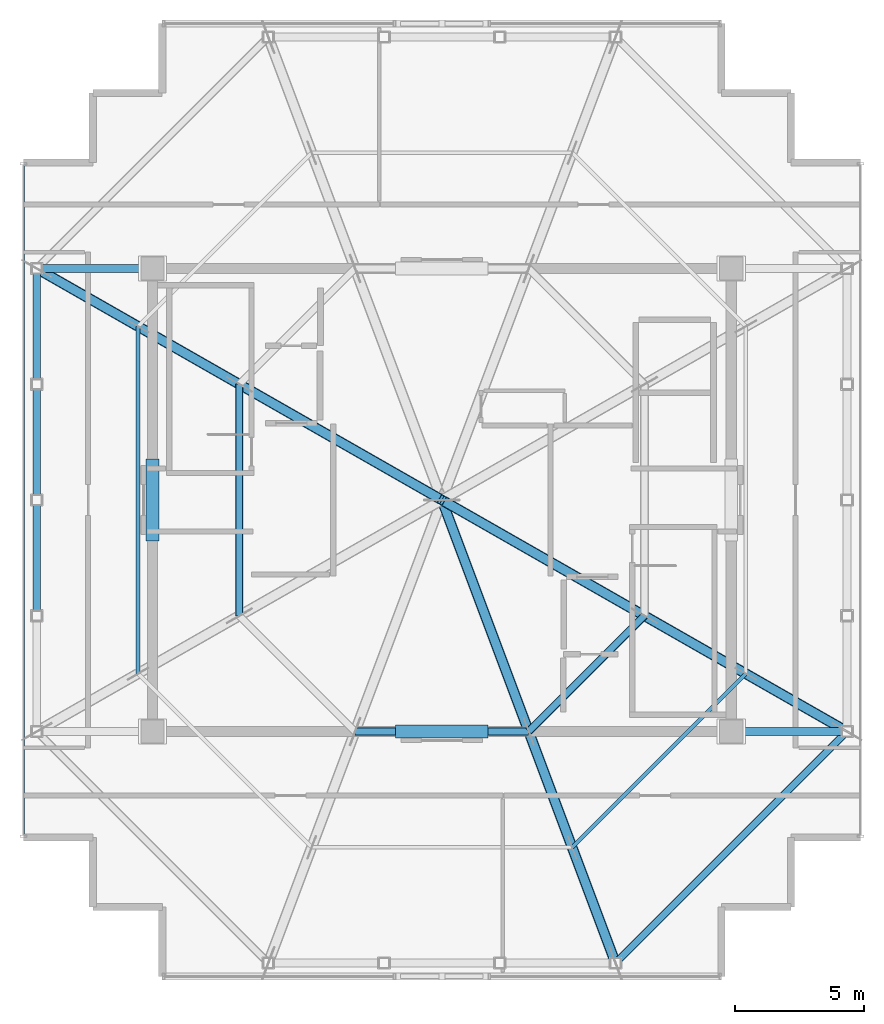
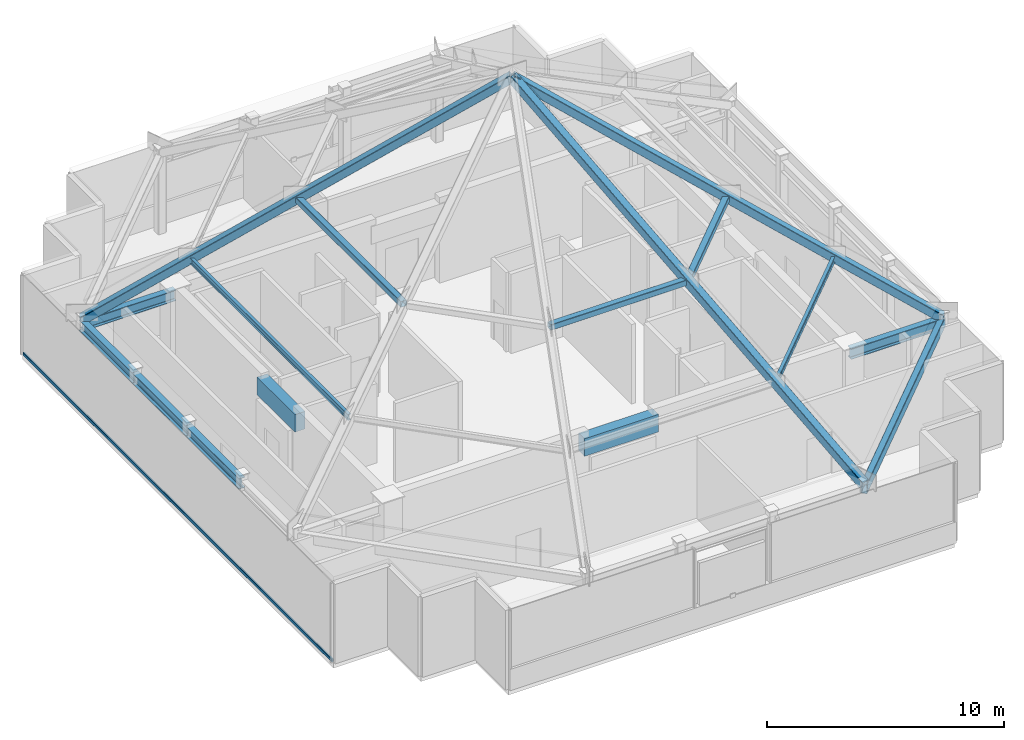
# One storey, part 5 of 17: 9 members, 8 beams, 1 element without a shape of its own.
"""IFC4 building model written with IfcOpenShell, lengths in metres."""

from ifc_helpers import new_model, si_unit, direction, frame, origin, origin_2d, place, context, subcontext, project, spatial, rectangle, hollow_rectangle, i_section, extrude, source, transform, mapped, material, layer, layer_set, material_profile, profile_set, type_object, element, aggregate, save


model = new_model("IFC4")

# Units and contexts
model_context = context("Model", 3, precision=1e-05, world=origin(), true_north=direction((0.0, 1.0)))
body_context = subcontext(model_context, "Body", "Model", "MODEL_VIEW")
ifc_project = project(units=[si_unit("LENGTHUNIT", "METRE"), si_unit("AREAUNIT", "SQUARE_METRE"), si_unit("VOLUMEUNIT", "CUBIC_METRE"), si_unit("PLANEANGLEUNIT", "RADIAN"), si_unit("MASSUNIT", "GRAM", prefix="KILO")], contexts=[model_context])

# Site, building, storey
site_placement = place(None, origin())
site = spatial("IfcSite", under=ifc_project, at=site_placement, CompositionType="ELEMENT")
building_placement = place(site_placement, origin())
building = spatial("IfcBuilding", under=site, at=building_placement, Name="Nefas-Gora Pilgrimage Tower", CompositionType="ELEMENT")
storey_placement = place(building_placement, frame((0.0, 0.0, 367.39990234375)))
storey = spatial("IfcBuildingStorey", under=building, at=storey_placement, Name="L92", CompositionType="ELEMENT", Elevation=367.39990234375)

# Beams
ifc_material_1 = material(Name="Concrete C50/60", Category="concrete")
ifc_material_profile_1 = material_profile(ifc_material_1, rectangle(XDim=0.5, YDim=0.89990234375, at=origin_2d()), Name="RC 500x900")
ifc_profile_set_1 = profile_set([ifc_material_profile_1], Name="Concrete C50/60")
beam_type_1 = type_object("IfcBeamType", Name="BM-LIN-RC900", PredefinedType="LINTEL", material=ifc_profile_set_1)
shared_shape_1 = source(origin(), body_context, "Body", "SweptSolid", [
    extrude(rectangle(XDim=0.5, YDim=0.89990234375, at=origin_2d()), origin(), (0.0, 0.0, 1.0), 3.60009765625),
])
beam_1_placement = place(storey_placement, frame((-1.800048828125, -9.0, 3.650146484375), z_axis=(1.0, 0.0, 0.0), x_axis=(0.0, 1.0, 0.0)))
element("IfcBeam", 1, at=beam_1_placement, inside=storey, type_object=beam_type_1, Name="L92 Core Coupling Lintel Beam S", PredefinedType="LINTEL", context=body_context, shape_type="MappedRepresentation", body=[
    mapped(shared_shape_1, transform((0.0, 0.0, 0.0), x_axis=(1.0, 0.0, 0.0), y_axis=(0.0, 1.0, 0.0), z_axis=(0.0, 0.0, 1.0), scale=1.0)),
])
shared_shape_2 = source(origin(), body_context, "Body", "SweptSolid", [
    extrude(rectangle(XDim=0.5, YDim=0.89990234375, at=origin_2d()), origin(), (0.0, 0.0, 1.0), 3.2001953125),
])
beam_2_placement = place(storey_placement, frame((-11.25, -1.60009765625, 3.650146484375), z_axis=(0.0, 1.0, 0.0), x_axis=(-1.0, 0.0, 0.0)))
element("IfcBeam", 2, at=beam_2_placement, inside=storey, type_object=beam_type_1, Name="L92 Core Coupling Lintel Beam W", PredefinedType="LINTEL", context=body_context, shape_type="MappedRepresentation", body=[
    mapped(shared_shape_2, transform((0.0, 0.0, 0.0), x_axis=(1.0, 0.0, 0.0), y_axis=(0.0, 1.0, 0.0), z_axis=(0.0, 0.0, 1.0), scale=1.0)),
])
ifc_material_2 = material(Name="Steel S355", Category="steel")
ifc_material_profile_2 = material_profile(ifc_material_2, i_section(OverallWidth=0.300048828125, OverallDepth=0.550048828125, WebThickness=0.014892578125, FlangeThickness=0.029052734375, FilletRadius=0.027099609375, at=origin_2d()), Name="HEB 550")
ifc_profile_set_2 = profile_set([ifc_material_profile_2], Name="Steel S355")
beam_type_2 = type_object("IfcBeamType", Name="BM-SPN-HEB400", PredefinedType="SPANDREL", material=ifc_profile_set_2)
shared_shape_3 = source(origin(), body_context, "Body", "SweptSolid", [
    extrude(i_section(OverallWidth=0.300048828125, OverallDepth=0.550048828125, WebThickness=0.014892578125, FlangeThickness=0.029052734375, FilletRadius=0.027099609375, at=origin_2d()), origin(), (0.0, 0.0, 1.0), 4.5),
])
for number, where, z_axis, x_axis, name in (
    (3, (-15.75, -4.5, 3.8251953125), (0.0, 1.0, 0.0), (-1.0, 0.0, 0.0), "L92 SP-04 beam"),
    (4, (-15.75, 0.0, 3.8251953125), (0.0, 1.0, 0.0), (-1.0, 0.0, 0.0), "L92 SP-04 beam"),
    (5, (-15.75, 4.5, 3.8251953125), (0.0, 1.0, 0.0), (-1.0, 0.0, 0.0), "L92 SP-04 beam"),
):
    element("IfcBeam", number, at=place(storey_placement, frame(where, z_axis=z_axis, x_axis=x_axis)), inside=storey, type_object=beam_type_2, Name=name, PredefinedType="SPANDREL", context=body_context, shape_type="MappedRepresentation", body=[
        mapped(shared_shape_3, transform((0.0, 0.0, 0.0), x_axis=(1.0, 0.0, 0.0), y_axis=(0.0, 1.0, 0.0), z_axis=(0.0, 0.0, 1.0), scale=1.0)),
    ])
ifc_material_profile_3 = material_profile(ifc_material_2, i_section(OverallWidth=0.300048828125, OverallDepth=0.550048828125, WebThickness=0.014892578125, FlangeThickness=0.029052734375, FilletRadius=0.027099609375, at=origin_2d()), Name="HEB 550")
ifc_profile_set_3 = profile_set([ifc_material_profile_3], Name="Steel S355")
beam_type_3 = type_object("IfcBeamType", Name="BM-GIR-HEB550", PredefinedType="BEAM", material=ifc_profile_set_3)
shared_shape_4 = source(origin(), body_context, "Body", "SweptSolid", [
    extrude(i_section(OverallWidth=0.300048828125, OverallDepth=0.550048828125, WebThickness=0.014892578125, FlangeThickness=0.029052734375, FilletRadius=0.027099609375, at=origin_2d()), origin(), (0.0, 0.0, 1.0), 4.5),
])
for number, where, z_axis, x_axis, name in (
    (6, (-15.75, 9.0, 3.8251953125), (1.0, 0.0, 0.0), (0.0, 1.0, 0.0), "L92 G-05 beam"),
    (7, (11.25, -9.0, 3.8251953125), (1.0, 0.0, 0.0), (0.0, 1.0, 0.0), "L92 G-05 beam"),
):
    element("IfcBeam", number, at=place(storey_placement, frame(where, z_axis=z_axis, x_axis=x_axis)), inside=storey, type_object=beam_type_3, Name=name, PredefinedType="BEAM", context=body_context, shape_type="MappedRepresentation", body=[
        mapped(shared_shape_4, transform((0.0, 0.0, 0.0), x_axis=(1.0, 0.0, 0.0), y_axis=(0.0, 1.0, 0.0), z_axis=(0.0, 0.0, 1.0), scale=1.0)),
    ])

# Members
ifc_material_3 = material(Name="Steel S460", Category="steel")
ifc_material_profile_4 = material_profile(ifc_material_3, hollow_rectangle(XDim=0.39990234375, YDim=0.39990234375, WallThickness=0.02001953125, InnerFilletRadius=0.02001953125, OuterFilletRadius=0.0400390625, at=origin_2d()), Name="SHS 400x400x20")
ifc_profile_set_4 = profile_set([ifc_material_profile_4], Name="Steel S460")
member_type_1 = type_object("IfcMemberType", Name="MEM-CROWN-RIB", PredefinedType="RAFTER", material=ifc_profile_set_4)
shared_shape_5 = source(origin(), body_context, "Body", "SweptSolid", [
    extrude(hollow_rectangle(XDim=0.39990234375, YDim=0.39990234375, WallThickness=0.02001953125, InnerFilletRadius=0.02001953125, OuterFilletRadius=0.0400390625, at=origin_2d()), origin(), (0.0, 0.0, 1.0), 21.984375),
])
for number, where, z_axis, x_axis, name in (
    (8, (15.75, -9.0, 4.10009765625), (-0.716414786328, 0.409379877902, 0.564940677859), (-0.496138938357, -0.868243142124, 0.0), "CROWN FRAME Raking Steel Rib 1"),
    (9, (-15.75, 9.0, 4.10009765625), (0.716414786328, -0.409379877902, 0.564940677859), (0.496138938357, 0.868243142124, 0.0), "CROWN FRAME Raking Steel Rib 5"),
):
    element("IfcMember", number, at=place(storey_placement, frame(where, z_axis=z_axis, x_axis=x_axis)), inside=storey, type_object=member_type_1, Name=name, PredefinedType="RAFTER", context=body_context, shape_type="MappedRepresentation", body=[
        mapped(shared_shape_5, transform((0.0, 0.0, 0.0), x_axis=(1.0, 0.0, 0.0), y_axis=(0.0, 1.0, 0.0), z_axis=(0.0, 0.0, 1.0), scale=1.0)),
    ])
ifc_material_profile_5 = material_profile(ifc_material_3, hollow_rectangle(XDim=0.300048828125, YDim=0.300048828125, WallThickness=0.01611328125, InnerFilletRadius=0.01611328125, OuterFilletRadius=0.031982421875, at=origin_2d()), Name="SHS 300x300x16")
ifc_profile_set_5 = profile_set([ifc_material_profile_5], Name="Steel S460")
member_type_2 = type_object("IfcMemberType", Name="MEM-CROWN-RING", PredefinedType="STRUT", material=ifc_profile_set_5)
shared_shape_6 = source(origin(), body_context, "Body", "SweptSolid", [
    extrude(hollow_rectangle(XDim=0.300048828125, YDim=0.300048828125, WallThickness=0.01611328125, InnerFilletRadius=0.01611328125, OuterFilletRadius=0.031982421875, at=origin_2d()), origin(), (0.0, 0.0, 1.0), 9.0),
])
member_1_placement = place(storey_placement, frame((-7.875, 4.5, 10.31005859375), z_axis=(0.0, -1.0, 0.0), x_axis=(1.0, 0.0, 0.0)))
element("IfcMember", 10, at=member_1_placement, inside=storey, type_object=member_type_2, Name="CROWN FRAME Mid-Height Compression Strut 5", PredefinedType="STRUT", context=body_context, shape_type="MappedRepresentation", body=[
    mapped(shared_shape_6, transform((0.0, 0.0, 0.0), x_axis=(1.0, 0.0, 0.0), y_axis=(0.0, 1.0, 0.0), z_axis=(0.0, 0.0, 1.0), scale=1.0)),
])
ifc_material_profile_6 = material_profile(ifc_material_2, i_section(OverallWidth=0.14990234375, OverallDepth=0.300048828125, WebThickness=0.007080078125, FlangeThickness=0.0107421875, FilletRadius=0.014892578125, at=origin_2d()), Name="IPE 300")
ifc_profile_set_6 = profile_set([ifc_material_profile_6], Name="Steel S355")
member_type_3 = type_object("IfcMemberType", Name="MEM-CROWN-PURLIN", PredefinedType="PURLIN", material=ifc_profile_set_6)
shared_shape_7 = source(origin(), body_context, "Body", "SweptSolid", [
    extrude(i_section(OverallWidth=0.14990234375, OverallDepth=0.300048828125, WebThickness=0.007080078125, FlangeThickness=0.0107421875, FilletRadius=0.014892578125, at=origin_2d()), origin(), (0.0, 0.0, 1.0), 13.5),
])
member_2_placement = place(storey_placement, frame((-11.8125, 6.75, 7.205078125), z_axis=(0.0, -1.0, 0.0), x_axis=(1.0, 0.0, 0.0)))
element("IfcMember", 11, at=member_2_placement, inside=storey, type_object=member_type_3, Name="CROWN FRAME Facet Purlin 5", PredefinedType="PURLIN", context=body_context, shape_type="MappedRepresentation", body=[
    mapped(shared_shape_7, transform((0.0, 0.0, 0.0), x_axis=(1.0, 0.0, 0.0), y_axis=(0.0, 1.0, 0.0), z_axis=(0.0, 0.0, 1.0), scale=1.0)),
])

# Beam
ifc_material_profile_7 = material_profile(ifc_material_3, hollow_rectangle(XDim=0.300048828125, YDim=0.5, WallThickness=0.02001953125, InnerFilletRadius=0.02001953125, OuterFilletRadius=0.0400390625, at=origin_2d()), Name="RHS 500x300x20")
ifc_profile_set_7 = profile_set([ifc_material_profile_7], Name="Steel S460")
beam_type_4 = type_object("IfcBeamType", Name="BM-RING-RHS500", PredefinedType="SPANDREL", material=ifc_profile_set_7)
shared_shape_8 = source(origin(), body_context, "Body", "SweptSolid", [
    extrude(hollow_rectangle(XDim=0.300048828125, YDim=0.5, WallThickness=0.02001953125, InnerFilletRadius=0.02001953125, OuterFilletRadius=0.0400390625, at=origin_2d()), origin(), (0.0, 0.0, 1.0), 12.72802734375),
])
beam_3_placement = place(storey_placement, frame((6.75, -18.0, 3.85009765625), z_axis=(0.707106781187, 0.707106781187, 0.0), x_axis=(-0.707106781187, 0.707106781187, 0.0)))
element("IfcBeam", 12, at=beam_3_placement, inside=storey, type_object=beam_type_4, Name="CROWN FRAME Base Ring Beam 8", PredefinedType="SPANDREL", context=body_context, shape_type="MappedRepresentation", body=[
    mapped(shared_shape_8, transform((0.0, 0.0, 0.0), x_axis=(1.0, 0.0, 0.0), y_axis=(0.0, 1.0, 0.0), z_axis=(0.0, 0.0, 1.0), scale=1.0)),
])

# Members
shared_shape_9 = source(origin(), body_context, "Body", "SweptSolid", [
    extrude(hollow_rectangle(XDim=0.300048828125, YDim=0.300048828125, WallThickness=0.01611328125, InnerFilletRadius=0.01611328125, OuterFilletRadius=0.031982421875, at=origin_2d()), origin(), (0.0, 0.0, 1.0), 6.364013671875),
])
member_3_placement = place(storey_placement, frame((3.375, -9.0, 10.31005859375), z_axis=(0.707106781187, 0.707106781187, 0.0), x_axis=(-0.707106781187, 0.707106781187, 0.0)))
element("IfcMember", 13, at=member_3_placement, inside=storey, type_object=member_type_2, Name="CROWN FRAME Mid-Height Compression Strut 8", PredefinedType="STRUT", context=body_context, shape_type="MappedRepresentation", body=[
    mapped(shared_shape_9, transform((0.0, 0.0, 0.0), x_axis=(1.0, 0.0, 0.0), y_axis=(0.0, 1.0, 0.0), z_axis=(0.0, 0.0, 1.0), scale=1.0)),
])
shared_shape_10 = source(origin(), body_context, "Body", "SweptSolid", [
    extrude(i_section(OverallWidth=0.14990234375, OverallDepth=0.300048828125, WebThickness=0.007080078125, FlangeThickness=0.0107421875, FilletRadius=0.014892578125, at=origin_2d()), origin(), (0.0, 0.0, 1.0), 9.5458984375),
])
member_4_placement = place(storey_placement, frame((5.0625, -13.5, 7.205078125), z_axis=(0.707106781187, 0.707106781187, 0.0), x_axis=(-0.707106781187, 0.707106781187, 0.0)))
element("IfcMember", 14, at=member_4_placement, inside=storey, type_object=member_type_3, Name="CROWN FRAME Facet Purlin 8", PredefinedType="PURLIN", context=body_context, shape_type="MappedRepresentation", body=[
    mapped(shared_shape_10, transform((0.0, 0.0, 0.0), x_axis=(1.0, 0.0, 0.0), y_axis=(0.0, 1.0, 0.0), z_axis=(0.0, 0.0, 1.0), scale=1.0)),
])
shared_shape_11 = source(origin(), body_context, "Body", "SweptSolid", [
    extrude(hollow_rectangle(XDim=0.39990234375, YDim=0.39990234375, WallThickness=0.02001953125, InnerFilletRadius=0.02001953125, OuterFilletRadius=0.0400390625, at=origin_2d()), origin(), (0.0, 0.0, 1.0), 22.886962890625),
])
member_5_placement = place(storey_placement, frame((6.75, -18.0, 4.10009765625), z_axis=(-0.294926634647, 0.786471025725, 0.542661594247), x_axis=(-0.936329177569, -0.351123441588, 0.0)))
element("IfcMember", 15, at=member_5_placement, inside=storey, type_object=member_type_1, Name="CROWN FRAME Raking Steel Rib 8", PredefinedType="RAFTER", context=body_context, shape_type="MappedRepresentation", body=[
    mapped(shared_shape_11, transform((0.0, 0.0, 0.0), x_axis=(1.0, 0.0, 0.0), y_axis=(0.0, 1.0, 0.0), z_axis=(0.0, 0.0, 1.0), scale=1.0)),
])
shared_shape_12 = source(origin(), body_context, "Body", "SweptSolid", [
    extrude(hollow_rectangle(XDim=0.300048828125, YDim=0.300048828125, WallThickness=0.01611328125, InnerFilletRadius=0.01611328125, OuterFilletRadius=0.031982421875, at=origin_2d()), origin(), (0.0, 0.0, 1.0), 6.75),
])
member_6_placement = place(storey_placement, frame((-3.375, -9.0, 10.31005859375), z_axis=(1.0, 0.0, 0.0), x_axis=(0.0, 1.0, 0.0)))
element("IfcMember", 16, at=member_6_placement, inside=storey, type_object=member_type_2, Name="CROWN FRAME Mid-Height Compression Strut 7", PredefinedType="STRUT", context=body_context, shape_type="MappedRepresentation", body=[
    mapped(shared_shape_12, transform((0.0, 0.0, 0.0), x_axis=(1.0, 0.0, 0.0), y_axis=(0.0, 1.0, 0.0), z_axis=(0.0, 0.0, 1.0), scale=1.0)),
])

# Curtain wall, member
ifc_material_4 = material(Name="Dark ceramic-fritted solar-control aluminium-glass curtain wall", Category="aluminium")
ifc_layer = layer(ifc_material_4, 0.219970703125)
ifc_layer_set = layer_set([ifc_layer], Name="Dark ceramic-fritted solar-control aluminium-glass curtain wall")
curtain_wall_type = type_object("IfcCurtainWallType", Name="CW-SYS-6", PredefinedType="NOTDEFINED", material=ifc_layer_set)
curtain_wall_placement = place(storey_placement, origin())
curtain_wall = element("IfcCurtainWall", 17, at=curtain_wall_placement, inside=storey, type_object=curtain_wall_type, Name="L92 Unitised Curtain Wall CW6", PredefinedType="NOTDEFINED")
ifc_material_5 = material(Name="Anodised architectural aluminium", Category="aluminium")
ifc_material_profile_8 = material_profile(ifc_material_5, hollow_rectangle(XDim=0.080078125, YDim=0.159912109375, WallThickness=0.00439453125, InnerFilletRadius=0.00439453125, OuterFilletRadius=0.009033203125, at=origin_2d()), Name="ALU TRANSOM 80x160")
ifc_profile_set_8 = profile_set([ifc_material_profile_8], Name="Anodised architectural aluminium")
member_type_4 = type_object("IfcMemberType", Name="CWM-TRN-6", PredefinedType="USERDEFINED", material=ifc_profile_set_8)
shared_shape_13 = source(origin(), body_context, "Body", "SweptSolid", [
    extrude(hollow_rectangle(XDim=0.080078125, YDim=0.159912109375, WallThickness=0.00439453125, InnerFilletRadius=0.00439453125, OuterFilletRadius=0.009033203125, at=origin_2d()), origin(), (0.0, 0.0, 1.0), 26.06005859375),
])
member_7_placement = place(storey_placement, frame((-16.27001953125, 13.030029296875, 0.050048828125), z_axis=(0.0, -1.0, 0.0), x_axis=(1.0, 0.0, 0.0)))
member_7 = element("IfcMember", 18, at=member_7_placement, type_object=member_type_4, Name="CW6 Spandrel Transom", ObjectType="TRANSOM", PredefinedType="USERDEFINED", context=body_context, shape_type="MappedRepresentation", body=[
    mapped(shared_shape_13, transform((0.0, 0.0, 0.0), x_axis=(1.0, 0.0, 0.0), y_axis=(0.0, 1.0, 0.0), z_axis=(0.0, 0.0, 1.0), scale=1.0)),
])
aggregate(curtain_wall, [member_7])

save(model, "model.ifc")
